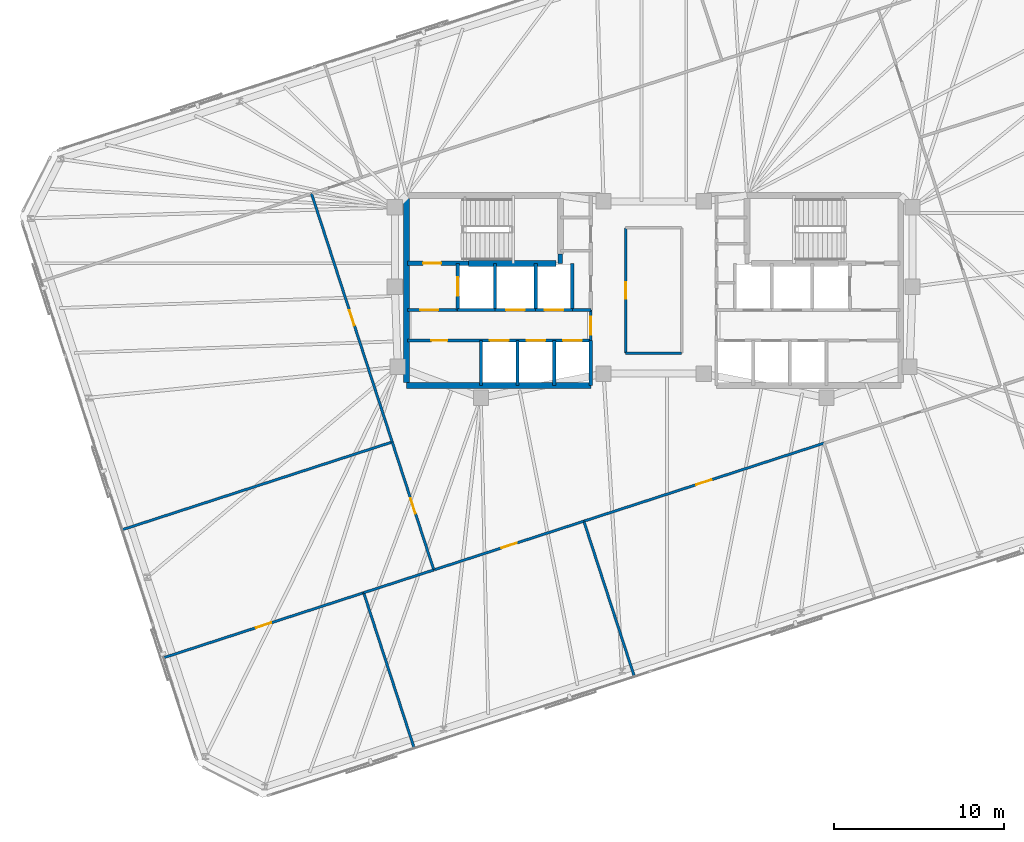
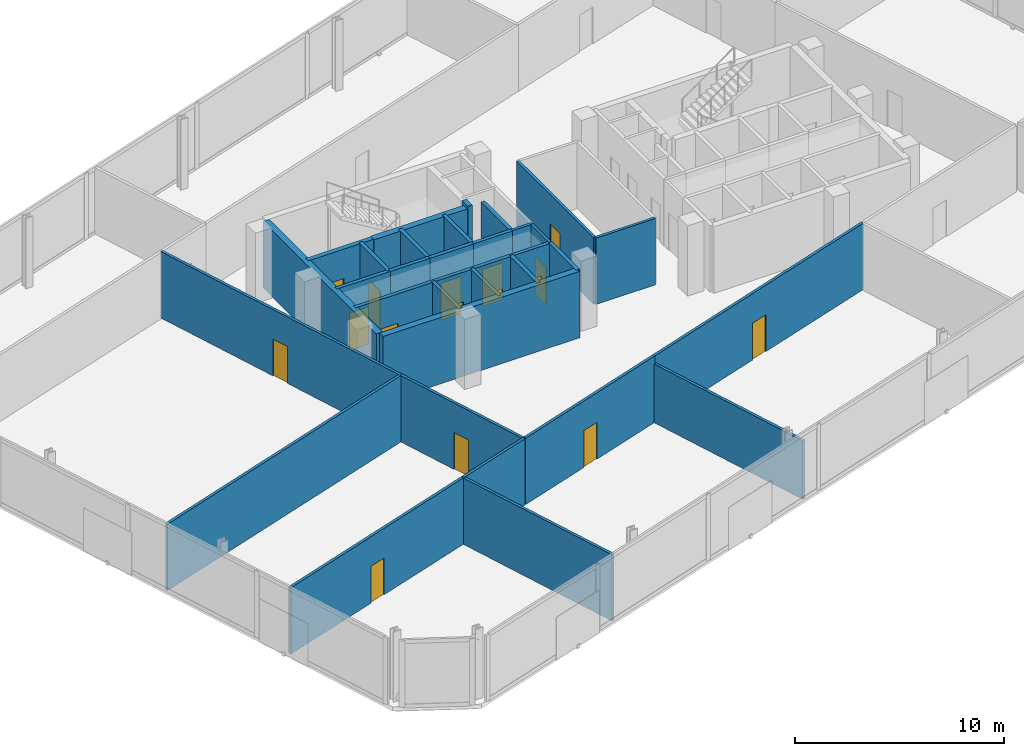
# One storey, part 10 of 14: 31 walls, 16 doors, 16 openings.
"""IFC4 building model written with IfcOpenShell, lengths in metres."""

from ifc_helpers import new_model, si_unit, direction, frame, frame_2d, origin, place, context, subcontext, project, spatial, rectangle, extrude, material, layer, layer_set, type_object, element, fill, save


model = new_model("IFC4")

# Units and contexts
model_context = context("Model", 3, precision=1e-05, world=origin(), true_north=direction((0.0, 1.0)))
body_context = subcontext(model_context, "Body", "Model", "MODEL_VIEW")
ifc_project = project(units=[si_unit("LENGTHUNIT", "METRE"), si_unit("AREAUNIT", "SQUARE_METRE"), si_unit("VOLUMEUNIT", "CUBIC_METRE"), si_unit("PLANEANGLEUNIT", "RADIAN"), si_unit("MASSUNIT", "GRAM", prefix="KILO")], contexts=[model_context])

# Site, building, storey
site_placement = place(None, origin())
site = spatial("IfcSite", under=ifc_project, at=site_placement, CompositionType="ELEMENT")
building_placement = place(site_placement, origin())
building = spatial("IfcBuilding", under=site, at=building_placement, Name="Menara Jurai Vektor", CompositionType="ELEMENT")
storey_placement = place(building_placement, frame((0.0, 0.0, 206.800048828125)))
storey = spatial("IfcBuildingStorey", under=building, at=storey_placement, Name="L54", CompositionType="ELEMENT", Elevation=206.800048828125)

# Wall, opening, door
ifc_material_1 = material(Name="Concrete C40/50", Category="concrete")
ifc_layer_1 = layer(ifc_material_1, 0.25)
ifc_layer_set_1 = layer_set([ifc_layer_1], Name="Concrete C40/50")
wall_type_1 = type_object("IfcWallType", Name="INT-WALL-CORE-250", PredefinedType="STANDARD", material=ifc_layer_set_1)
wall_1_placement = place(storey_placement, frame((-14.5, 1.60009765625, 0.0), z_axis=(0.0, 0.0, 1.0), x_axis=(1.0, 0.0, 0.0)))
wall_1 = element("IfcWall", 1, at=wall_1_placement, inside=storey, type_object=wall_type_1, Name="Interior Wall IW-250 L54", PredefinedType="STANDARD", context=body_context, shape_type="SweptSolid", body=[
    extrude(rectangle(XDim=3.60009765625, YDim=0.25, at=frame_2d((1.800048828125, 0.0))), origin(), (0.0, 0.0, 1.0), 3.875),
])
opening_1_placement = place(wall_1_placement, frame((0.919921875, 0.0, 0.0)))
opening_1 = element("IfcOpeningElement", 2, at=opening_1_placement, cuts=wall_1, Name="Opening D-L54-ST1", PredefinedType="OPENING", context=body_context, shape_type="SweptSolid", body=[
    extrude(rectangle(XDim=1.050048828125, YDim=2.14990234375, at=frame_2d((0.52490234375, 1.074951171875))), frame((0.0, 0.135009765625, 0.0), z_axis=(0.0, -1.0, 0.0), x_axis=(1.0, 0.0, 0.0)), (0.0, 0.0, 1.0), 0.27001953125),
])
ifc_material_2 = material(Name="Fire-Rated Steel Door", Category="steel")
door_type_1 = type_object("IfcDoorType", Name="DR-STAIR-1050", OperationType="NOTDEFINED", PredefinedType="DOOR", material=ifc_material_2)
door_1_placement = place(opening_1_placement, origin())
door_1 = element("IfcDoor", 3, at=door_1_placement, inside=storey, type_object=door_type_1, Name="Exit Stair ST1 Door L54", OperationType="SINGLE_SWING_RIGHT", OverallHeight=2.14990234375, OverallWidth=1.050048828125, PredefinedType="DOOR", context=body_context, shape_type="SweptSolid", body=[
    extrude(rectangle(XDim=1.050048828125, YDim=2.14990234375, at=frame_2d((0.52490234375, 1.074951171875))), frame((0.0, 0.02490234375, 0.0), z_axis=(0.0, -1.0, 0.0), x_axis=(1.0, 0.0, 0.0)), (0.0, 0.0, 1.0), 0.050048828125),
])
fill(opening_1, door_1)

# Wall
wall_2_placement = place(storey_placement, frame((-5.5, 1.60009765625, 0.0), z_axis=(0.0, 0.0, 1.0), x_axis=(0.0, 1.0, 0.0)))
element("IfcWall", 4, at=wall_2_placement, inside=storey, type_object=wall_type_1, Name="Interior Wall IW-250 L54", PredefinedType="STANDARD", context=body_context, shape_type="SweptSolid", body=[
    extrude(rectangle(XDim=0.5498046875, YDim=0.25, at=frame_2d((0.27490234375, 0.0))), origin(), (0.0, 0.0, 1.0), 3.875),
])

# Wall, opening, door
wall_3_placement = place(storey_placement, frame((-11.550048828125, -1.14990234375, 0.0), z_axis=(0.0, 0.0, 1.0), x_axis=(0.0, 1.0, 0.0)))
wall_3 = element("IfcWall", 5, at=wall_3_placement, inside=storey, type_object=wall_type_1, Name="Interior Wall IW-250 L54", PredefinedType="STANDARD", context=body_context, shape_type="SweptSolid", body=[
    extrude(rectangle(XDim=2.75, YDim=0.199951171875, at=frame_2d((1.375, 0.0))), origin(), (0.0, 0.0, 1.0), 3.875),
])
opening_2_placement = place(wall_3_placement, frame((0.824951171875, 0.0, 0.0)))
opening_2 = element("IfcOpeningElement", 6, at=opening_2_placement, cuts=wall_3, Name="Opening LD-L54-FL1", PredefinedType="OPENING", context=body_context, shape_type="SweptSolid", body=[
    extrude(rectangle(XDim=1.10009765625, YDim=2.14990234375, at=frame_2d((0.550048828125, 1.074951171875))), frame((0.0, 0.10986328125, 0.0), z_axis=(0.0, -1.0, 0.0), x_axis=(1.0, 0.0, 0.0)), (0.0, 0.0, 1.0), 0.219970703125),
])
ifc_material_3 = material(Name="Stainless Steel Sliding Lift Landing Door", Category="steel")
door_type_2 = type_object("IfcDoorType", Name="DR-LIFT-FIRE-1100", OperationType="NOTDEFINED", PredefinedType="DOOR", material=ifc_material_3)
door_2_placement = place(opening_2_placement, origin())
door_2 = element("IfcDoor", 7, at=door_2_placement, inside=storey, type_object=door_type_2, Name="Lift Landing Door FL1 L54", OperationType="SLIDING_TO_RIGHT", OverallHeight=2.14990234375, OverallWidth=1.10009765625, PredefinedType="DOOR", context=body_context, shape_type="SweptSolid", body=[
    extrude(rectangle(XDim=1.10009765625, YDim=2.14990234375, at=frame_2d((0.550048828125, 1.074951171875))), frame((0.0, 0.02490234375, 0.0), z_axis=(0.0, -1.0, 0.0), x_axis=(1.0, 0.0, 0.0)), (0.0, 0.0, 1.0), 0.050048828125),
])
fill(opening_2, door_2)

# Wall
wall_4_placement = place(storey_placement, frame((-9.35009765625, -1.14990234375, 0.0), z_axis=(0.0, 0.0, 1.0), x_axis=(0.0, 1.0, 0.0)))
element("IfcWall", 8, at=wall_4_placement, inside=storey, type_object=wall_type_1, Name="Interior Wall IW-250 L54", PredefinedType="STANDARD", context=body_context, shape_type="SweptSolid", body=[
    extrude(rectangle(XDim=2.75, YDim=0.199951171875, at=frame_2d((1.375, 0.0))), origin(), (0.0, 0.0, 1.0), 3.875),
])

# Wall, opening, door
wall_5_placement = place(storey_placement, frame((-14.5, -1.14990234375, 0.0), z_axis=(0.0, 0.0, 1.0), x_axis=(1.0, 0.0, 0.0)))
wall_5 = element("IfcWall", 9, at=wall_5_placement, inside=storey, type_object=wall_type_1, Name="Interior Wall IW-250 L54", PredefinedType="STANDARD", context=body_context, shape_type="SweptSolid", body=[
    extrude(rectangle(XDim=2.949951171875, YDim=0.199951171875, at=frame_2d((1.47509765625, 0.0))), origin(), (0.0, 0.0, 1.0), 3.875),
])
opening_3_placement = place(wall_5_placement, frame((0.75, 0.0, 0.0)))
opening_3 = element("IfcOpeningElement", 10, at=opening_3_placement, cuts=wall_5, Name="Opening D-L54-FFW", PredefinedType="OPENING", context=body_context, shape_type="SweptSolid", body=[
    extrude(rectangle(XDim=1.050048828125, YDim=2.179931640625, at=frame_2d((0.52490234375, 1.08984375))), frame((0.0, 0.10986328125, 0.0), z_axis=(0.0, -1.0, 0.0), x_axis=(1.0, 0.0, 0.0)), (0.0, 0.0, 1.0), 0.219970703125),
])
ifc_material_4 = material(Name="Fire-Rated Timber Door", Category="wood")
door_type_3 = type_object("IfcDoorType", Name="DR-LOBBY-1050", OperationType="NOTDEFINED", PredefinedType="DOOR", material=ifc_material_4)
door_3_placement = place(opening_3_placement, origin())
door_3 = element("IfcDoor", 11, at=door_3_placement, inside=storey, type_object=door_type_3, Name="Fire Lift Lobby Door W L54", OperationType="SINGLE_SWING_RIGHT", OverallHeight=2.179931640625, OverallWidth=1.050048828125, PredefinedType="DOOR", context=body_context, shape_type="SweptSolid", body=[
    extrude(rectangle(XDim=1.050048828125, YDim=2.179931640625, at=frame_2d((0.52490234375, 1.08984375))), frame((0.0, 0.02490234375, 0.0), z_axis=(0.0, -1.0, 0.0), x_axis=(1.0, 0.0, 0.0)), (0.0, 0.0, 1.0), 0.050048828125),
])
fill(opening_3, door_3)

# Wall
wall_6_placement = place(storey_placement, frame((-11.550048828125, -1.14990234375, 0.0), z_axis=(0.0, 0.0, 1.0), x_axis=(1.0, 0.0, 0.0)))
element("IfcWall", 12, at=wall_6_placement, inside=storey, type_object=wall_type_1, Name="Interior Wall IW-250 L54", PredefinedType="STANDARD", context=body_context, shape_type="SweptSolid", body=[
    extrude(rectangle(XDim=2.199951171875, YDim=0.199951171875, at=frame_2d((1.10009765625, 0.0))), origin(), (0.0, 0.0, 1.0), 3.875),
])

# Wall, opening, door
ifc_material_5 = material(Name="Gypsum Fireboard Partition", Category="gypsum")
ifc_layer_2 = layer(ifc_material_5, 0.14990234375)
ifc_layer_set_2 = layer_set([ifc_layer_2], Name="Gypsum Fireboard Partition")
wall_type_2 = type_object("IfcWallType", Name="INT-WALL-CORR-150", PredefinedType="PARTITIONING", material=ifc_layer_set_2)
wall_7_placement = place(storey_placement, frame((-3.699951171875, -2.949951171875, 0.0), z_axis=(0.0, 0.0, 1.0), x_axis=(0.0, 1.0, 0.0)))
wall_7 = element("IfcWall", 13, at=wall_7_placement, inside=storey, type_object=wall_type_2, Name="Interior Wall IW-150 L54", PredefinedType="PARTITIONING", context=body_context, shape_type="SweptSolid", body=[
    extrude(rectangle(XDim=1.800048828125, YDim=0.14990234375, at=frame_2d((0.89990234375, 0.0))), origin(), (0.0, 0.0, 1.0), 3.875),
])
opening_4_placement = place(wall_7_placement, frame((0.35009765625, 0.0, 0.0)))
opening_4 = element("IfcOpeningElement", 14, at=opening_4_placement, cuts=wall_7, Name="Opening D-L54-LLW", PredefinedType="OPENING", context=body_context, shape_type="SweptSolid", body=[
    extrude(rectangle(XDim=1.050048828125, YDim=2.179931640625, at=frame_2d((0.52490234375, 1.08984375))), frame((0.0, 0.0849609375, 0.0), z_axis=(0.0, -1.0, 0.0), x_axis=(1.0, 0.0, 0.0)), (0.0, 0.0, 1.0), 0.169921875),
])
door_4_placement = place(opening_4_placement, origin())
door_4 = element("IfcDoor", 15, at=door_4_placement, inside=storey, type_object=door_type_3, Name="Lift Lobby Corridor Door W L54", OperationType="SINGLE_SWING_LEFT", OverallHeight=2.179931640625, OverallWidth=1.050048828125, PredefinedType="DOOR", context=body_context, shape_type="SweptSolid", body=[
    extrude(rectangle(XDim=1.050048828125, YDim=2.179931640625, at=frame_2d((0.52490234375, 1.08984375))), frame((0.0, 0.02490234375, 0.0), z_axis=(0.0, -1.0, 0.0), x_axis=(1.0, 0.0, 0.0)), (0.0, 0.0, 1.0), 0.050048828125),
])
fill(opening_4, door_4)

# Wall
wall_8_placement = place(storey_placement, frame((-4.7900390625, -1.14990234375, 0.0), z_axis=(0.0, 0.0, 1.0), x_axis=(1.0, 0.0, 0.0)))
element("IfcWall", 16, at=wall_8_placement, inside=storey, type_object=wall_type_2, Name="Interior Wall IW-150 L54", PredefinedType="PARTITIONING", context=body_context, shape_type="SweptSolid", body=[
    extrude(rectangle(XDim=1.090087890625, YDim=0.14990234375, at=frame_2d((0.544921875, 0.0))), origin(), (0.0, 0.0, 1.0), 3.875),
])

# Wall, opening, door
wall_9_placement = place(storey_placement, frame((-1.64990234375, -3.6904296875, 0.0), z_axis=(0.0, 0.0, 1.0), x_axis=(3.3079722e-05, 0.999999999453, 0.0)))
wall_9 = element("IfcWall", 17, at=wall_9_placement, inside=storey, type_object=wall_type_2, Name="Interior Wall IW-150 L54", PredefinedType="PARTITIONING", context=body_context, shape_type="SweptSolid", body=[
    extrude(rectangle(XDim=7.38037109375, YDim=0.14990234375, at=frame_2d((3.690185546875, 0.0))), origin(), (0.0, 0.0, 1.0), 3.875),
])
opening_5_placement = place(wall_9_placement, frame((3.215087890625, 0.0, 0.0)))
opening_5 = element("IfcOpeningElement", 18, at=opening_5_placement, cuts=wall_9, Name="Opening D54-08", PredefinedType="OPENING", context=body_context, shape_type="SweptSolid", body=[
    extrude(rectangle(XDim=0.949951171875, YDim=2.14990234375, at=frame_2d((0.47509765625, 1.074951171875))), frame((0.0, 0.0849609375, 0.0), z_axis=(0.0, -1.0, 0.0), x_axis=(1.0, 0.0, 0.0)), (0.0, 0.0, 1.0), 0.169921875),
])
ifc_material_6 = material(Name="Solid Core Timber Fire Door", Category="wood")
door_type_4 = type_object("IfcDoorType", Name="DR-ENTRY-950", OperationType="NOTDEFINED", PredefinedType="DOOR", material=ifc_material_6)
door_5_placement = place(opening_5_placement, origin())
door_5 = element("IfcDoor", 19, at=door_5_placement, inside=storey, type_object=door_type_4, Name="Interior Door D54-08", OperationType="SINGLE_SWING_LEFT", OverallHeight=2.14990234375, OverallWidth=0.949951171875, PredefinedType="DOOR", context=body_context, shape_type="SweptSolid", body=[
    extrude(rectangle(XDim=0.949951171875, YDim=2.14990234375, at=frame_2d((0.47509765625, 1.074951171875))), frame((0.0, 0.02490234375, 0.0), z_axis=(0.0, -1.0, 0.0), x_axis=(1.0, 0.0, 0.0)), (0.0, 0.0, 1.0), 0.050048828125),
])
fill(opening_5, door_5)

# Wall
wall_10_placement = place(storey_placement, frame((-1.64990234375, -3.6904296875, 0.0), z_axis=(0.0, 0.0, 1.0), x_axis=(0.999999956221, 0.000295901748, 0.0)))
element("IfcWall", 20, at=wall_10_placement, inside=storey, type_object=wall_type_2, Name="Interior Wall IW-150 L54", PredefinedType="PARTITIONING", context=body_context, shape_type="SweptSolid", body=[
    extrude(rectangle(XDim=3.30029296875, YDim=0.14990234375, at=frame_2d((1.650146484375, 0.0))), origin(), (0.0, 0.0, 1.0), 3.875),
])

# Wall, opening, door
wall_11_placement = place(storey_placement, frame((-12.918212890625, -16.4541015625, 0.0), z_axis=(0.0, 0.0, 1.0), x_axis=(0.951058289859, 0.309011535854, 0.0)))
wall_11 = element("IfcWall", 21, at=wall_11_placement, inside=storey, type_object=wall_type_2, Name="Interior Wall IW-150 L54", PredefinedType="PARTITIONING", context=body_context, shape_type="SweptSolid", body=[
    extrude(rectangle(XDim=9.258056640625, YDim=0.14990234375, at=frame_2d((4.62890625, 0.0))), origin(), (0.0, 0.0, 1.0), 3.875),
])
opening_6_placement = place(wall_11_placement, frame((4.154052734375, 0.0, 0.0)))
opening_6 = element("IfcOpeningElement", 22, at=opening_6_placement, cuts=wall_11, Name="Opening D54-12", PredefinedType="OPENING", context=body_context, shape_type="SweptSolid", body=[
    extrude(rectangle(XDim=0.949951171875, YDim=2.14990234375, at=frame_2d((0.47509765625, 1.074951171875))), frame((0.0, 0.0849609375, 0.0), z_axis=(0.0, -1.0, 0.0), x_axis=(1.0, 0.0, 0.0)), (0.0, 0.0, 1.0), 0.169921875),
])
door_6_placement = place(opening_6_placement, origin())
door_6 = element("IfcDoor", 23, at=door_6_placement, inside=storey, type_object=door_type_4, Name="Interior Door D54-12", OperationType="SINGLE_SWING_LEFT", OverallHeight=2.14990234375, OverallWidth=0.949951171875, PredefinedType="DOOR", context=body_context, shape_type="SweptSolid", body=[
    extrude(rectangle(XDim=0.949951171875, YDim=2.14990234375, at=frame_2d((0.47509765625, 1.074951171875))), frame((0.0, 0.02490234375, 0.0), z_axis=(0.0, -1.0, 0.0), x_axis=(1.0, 0.0, 0.0)), (0.0, 0.0, 1.0), 0.050048828125),
])
fill(opening_6, door_6)

wall_12_placement = place(storey_placement, frame((-4.11328125, -13.59326171875, 0.0), z_axis=(0.0, 0.0, 1.0), x_axis=(0.951056372561, 0.309017436743, 0.0)))
wall_12 = element("IfcWall", 24, at=wall_12_placement, inside=storey, type_object=wall_type_2, Name="Interior Wall IW-150 L54", PredefinedType="PARTITIONING", context=body_context, shape_type="SweptSolid", body=[
    extrude(rectangle(XDim=14.8798828125, YDim=0.14990234375, at=frame_2d((7.43994140625, 0.0))), origin(), (0.0, 0.0, 1.0), 3.875),
])
opening_7_placement = place(wall_12_placement, frame((6.965087890625, 0.0, 0.0)))
opening_7 = element("IfcOpeningElement", 25, at=opening_7_placement, cuts=wall_12, Name="Opening D54-13", PredefinedType="OPENING", context=body_context, shape_type="SweptSolid", body=[
    extrude(rectangle(XDim=0.949951171875, YDim=2.14990234375, at=frame_2d((0.47509765625, 1.074951171875))), frame((0.0, 0.0849609375, 0.0), z_axis=(0.0, -1.0, 0.0), x_axis=(1.0, 0.0, 0.0)), (0.0, 0.0, 1.0), 0.169921875),
])
door_7_placement = place(opening_7_placement, origin())
door_7 = element("IfcDoor", 26, at=door_7_placement, inside=storey, type_object=door_type_4, Name="Interior Door D54-13", OperationType="SINGLE_SWING_RIGHT", OverallHeight=2.14990234375, OverallWidth=0.949951171875, PredefinedType="DOOR", context=body_context, shape_type="SweptSolid", body=[
    extrude(rectangle(XDim=0.949951171875, YDim=2.14990234375, at=frame_2d((0.47509765625, 1.074951171875))), frame((0.0, 0.02490234375, 0.0), z_axis=(0.0, -1.0, 0.0), x_axis=(1.0, 0.0, 0.0)), (0.0, 0.0, 1.0), 0.050048828125),
])
fill(opening_7, door_7)

wall_13_placement = place(storey_placement, frame((-12.954345703125, -16.4658203125, 0.0), z_axis=(0.0, 0.0, 1.0), x_axis=(-0.309039411751, 0.951049232156, 0.0)))
wall_13 = element("IfcWall", 27, at=wall_13_placement, inside=storey, type_object=wall_type_2, Name="Interior Wall IW-150 L54", PredefinedType="PARTITIONING", context=body_context, shape_type="SweptSolid", body=[
    extrude(rectangle(XDim=7.9267578125, YDim=0.14990234375, at=frame_2d((3.96337890625, 0.0))), origin(), (0.0, 0.0, 1.0), 3.875),
])
opening_8_placement = place(wall_13_placement, frame((3.488525390625, 0.0, 0.0)))
opening_8 = element("IfcOpeningElement", 28, at=opening_8_placement, cuts=wall_13, Name="Opening D54-15", PredefinedType="OPENING", context=body_context, shape_type="SweptSolid", body=[
    extrude(rectangle(XDim=0.949951171875, YDim=2.14990234375, at=frame_2d((0.47509765625, 1.074951171875))), frame((0.0, 0.0849609375, 0.0), z_axis=(0.0, -1.0, 0.0), x_axis=(1.0, 0.0, 0.0)), (0.0, 0.0, 1.0), 0.169921875),
])
door_8_placement = place(opening_8_placement, origin())
door_8 = element("IfcDoor", 29, at=door_8_placement, inside=storey, type_object=door_type_4, Name="Interior Door D54-15", OperationType="SINGLE_SWING_RIGHT", OverallHeight=2.14990234375, OverallWidth=0.949951171875, PredefinedType="DOOR", context=body_context, shape_type="SweptSolid", body=[
    extrude(rectangle(XDim=0.949951171875, YDim=2.14990234375, at=frame_2d((0.47509765625, 1.074951171875))), frame((0.0, 0.02490234375, 0.0), z_axis=(0.0, -1.0, 0.0), x_axis=(1.0, 0.0, 0.0)), (0.0, 0.0, 1.0), 0.050048828125),
])
fill(opening_8, door_8)

wall_14_placement = place(storey_placement, frame((-15.404052734375, -8.927001953125, 0.0), z_axis=(0.0, 0.0, 1.0), x_axis=(-0.309002477631, 0.951061232949, 0.0)))
wall_14 = element("IfcWall", 30, at=wall_14_placement, inside=storey, type_object=wall_type_2, Name="Interior Wall IW-150 L54", PredefinedType="PARTITIONING", context=body_context, shape_type="SweptSolid", body=[
    extrude(rectangle(XDim=15.386962890625, YDim=0.14990234375, at=frame_2d((7.693359375, 0.0))), origin(), (0.0, 0.0, 1.0), 3.875),
])
opening_9_placement = place(wall_14_placement, frame((7.218505859375, 0.0, 0.0)))
opening_9 = element("IfcOpeningElement", 31, at=opening_9_placement, cuts=wall_14, Name="Opening D54-16", PredefinedType="OPENING", context=body_context, shape_type="SweptSolid", body=[
    extrude(rectangle(XDim=0.949951171875, YDim=2.14990234375, at=frame_2d((0.47509765625, 1.074951171875))), frame((0.0, 0.0849609375, 0.0), z_axis=(0.0, -1.0, 0.0), x_axis=(1.0, 0.0, 0.0)), (0.0, 0.0, 1.0), 0.169921875),
])
door_9_placement = place(opening_9_placement, origin())
door_9 = element("IfcDoor", 32, at=door_9_placement, inside=storey, type_object=door_type_4, Name="Interior Door D54-16", OperationType="SINGLE_SWING_LEFT", OverallHeight=2.14990234375, OverallWidth=0.949951171875, PredefinedType="DOOR", context=body_context, shape_type="SweptSolid", body=[
    extrude(rectangle(XDim=0.949951171875, YDim=2.14990234375, at=frame_2d((0.47509765625, 1.074951171875))), frame((0.0, 0.02490234375, 0.0), z_axis=(0.0, -1.0, 0.0), x_axis=(1.0, 0.0, 0.0)), (0.0, 0.0, 1.0), 0.050048828125),
])
fill(opening_9, door_9)

# Wall
wall_15_placement = place(storey_placement, frame((-14.109375, -26.96875, 0.0), z_axis=(0.0, 0.0, 1.0), x_axis=(-0.309009842949, 0.951058839905, 0.0)))
element("IfcWall", 33, at=wall_15_placement, inside=storey, type_object=wall_type_2, Name="Interior Wall IW-150 L54", PredefinedType="PARTITIONING", context=body_context, shape_type="SweptSolid", body=[
    extrude(rectangle(XDim=9.6318359375, YDim=0.14990234375, at=frame_2d((4.81591796875, 0.0))), origin(), (0.0, 0.0, 1.0), 3.875),
])

# Wall, opening, door
wall_16_placement = place(storey_placement, frame((-28.87890625, -21.64013671875, 0.0), z_axis=(0.0, 0.0, 1.0), x_axis=(0.951057939298, 0.309012614787, 0.0)))
wall_16 = element("IfcWall", 34, at=wall_16_placement, inside=storey, type_object=wall_type_2, Name="Interior Wall IW-150 L54", PredefinedType="PARTITIONING", context=body_context, shape_type="SweptSolid", body=[
    extrude(rectangle(XDim=12.400146484375, YDim=0.14990234375, at=frame_2d((6.2001953125, 0.0))), origin(), (0.0, 0.0, 1.0), 3.875),
])
opening_10_placement = place(wall_16_placement, frame((5.72509765625, 0.0, 0.0)))
opening_10 = element("IfcOpeningElement", 35, at=opening_10_placement, cuts=wall_16, Name="Opening D54-19", PredefinedType="OPENING", context=body_context, shape_type="SweptSolid", body=[
    extrude(rectangle(XDim=0.949951171875, YDim=2.14990234375, at=frame_2d((0.47509765625, 1.074951171875))), frame((0.0, 0.0849609375, 0.0), z_axis=(0.0, -1.0, 0.0), x_axis=(1.0, 0.0, 0.0)), (0.0, 0.0, 1.0), 0.169921875),
])
door_10_placement = place(opening_10_placement, origin())
door_10 = element("IfcDoor", 36, at=door_10_placement, inside=storey, type_object=door_type_4, Name="Interior Door D54-19", OperationType="SINGLE_SWING_RIGHT", OverallHeight=2.14990234375, OverallWidth=0.949951171875, PredefinedType="DOOR", context=body_context, shape_type="SweptSolid", body=[
    extrude(rectangle(XDim=0.949951171875, YDim=2.14990234375, at=frame_2d((0.47509765625, 1.074951171875))), frame((0.0, 0.02490234375, 0.0), z_axis=(0.0, -1.0, 0.0), x_axis=(1.0, 0.0, 0.0)), (0.0, 0.0, 1.0), 0.050048828125),
])
fill(opening_10, door_10)

# Walls
wall_17_placement = place(storey_placement, frame((-17.085693359375, -17.808349609375, 0.0), z_axis=(0.0, 0.0, 1.0), x_axis=(0.951044806522, 0.309053031028, 0.0)))
element("IfcWall", 37, at=wall_17_placement, inside=storey, type_object=wall_type_2, Name="Interior Wall IW-150 L54", PredefinedType="PARTITIONING", context=body_context, shape_type="SweptSolid", body=[
    extrude(rectangle(XDim=4.343994140625, YDim=0.14990234375, at=frame_2d((2.171875, 0.0))), origin(), (0.0, 0.0, 1.0), 3.875),
])
wall_18_placement = place(storey_placement, frame((-31.328369140625, -14.10107421875, 0.0), z_axis=(0.0, 0.0, 1.0), x_axis=(0.951057425217, 0.309014196986, 0.0)))
element("IfcWall", 38, at=wall_18_placement, inside=storey, type_object=wall_type_2, Name="Interior Wall IW-150 L54", PredefinedType="PARTITIONING", context=body_context, shape_type="SweptSolid", body=[
    extrude(rectangle(XDim=16.743896484375, YDim=0.14990234375, at=frame_2d((8.3720703125, 0.0))), origin(), (0.0, 0.0, 1.0), 3.875),
])
ifc_layer_3 = layer(ifc_material_5, 0.14990234375)
ifc_layer_set_3 = layer_set([ifc_layer_3], Name="Gypsum Fireboard Partition")
wall_type_3 = type_object("IfcWallType", Name="INT-WALL-CORR-150-H1", PredefinedType="PARTITIONING", material=ifc_layer_set_3)
wall_19_placement = place(storey_placement, frame((-1.136962890625, -22.75390625, 0.0), z_axis=(0.0, 0.0, 1.0), x_axis=(-0.309002393867, 0.951061260164, 0.0)))
element("IfcWall", 39, at=wall_19_placement, inside=storey, type_object=wall_type_3, Name="Interior Wall IW-150 L54", PredefinedType="PARTITIONING", context=body_context, shape_type="SweptSolid", body=[
    extrude(rectangle(XDim=9.632080078125, YDim=0.14990234375, at=frame_2d((4.81591796875, 0.0))), origin(), (0.0, 0.0, 1.0), 3.425048828125),
])
ifc_layer_4 = layer(ifc_material_1, 0.199951171875)
ifc_layer_set_4 = layer_set([ifc_layer_4], Name="Concrete C40/50")
wall_type_4 = type_object("IfcWallType", Name="INT-WALL-SHAFT-200", PredefinedType="STANDARD", material=ifc_layer_set_4)
wall_20_placement = place(storey_placement, frame((-3.699951171875, -5.60009765625, 0.0), z_axis=(0.0, 0.0, 1.0), x_axis=(0.0, 1.0, 0.0)))
element("IfcWall", 40, at=wall_20_placement, inside=storey, type_object=wall_type_4, Name="Interior Wall IW-200 L54", PredefinedType="STANDARD", context=body_context, shape_type="SweptSolid", body=[
    extrude(rectangle(XDim=2.650146484375, YDim=0.199951171875, at=frame_2d((1.3251953125, 0.0))), origin(), (0.0, 0.0, 1.0), 3.875),
])
wall_21_placement = place(storey_placement, frame((-6.949951171875, -1.14990234375, 0.0), z_axis=(0.0, 0.0, 1.0), x_axis=(0.0, 1.0, 0.0)))
element("IfcWall", 41, at=wall_21_placement, inside=storey, type_object=wall_type_4, Name="Interior Wall IW-200 L54", PredefinedType="STANDARD", context=body_context, shape_type="SweptSolid", body=[
    extrude(rectangle(XDim=2.75, YDim=0.199951171875, at=frame_2d((1.375, 0.0))), origin(), (0.0, 0.0, 1.0), 3.875),
])

# Wall, opening, door
wall_22_placement = place(storey_placement, frame((-9.35009765625, -1.14990234375, 0.0), z_axis=(0.0, 0.0, 1.0), x_axis=(1.0, 0.0, 0.0)))
wall_22 = element("IfcWall", 42, at=wall_22_placement, inside=storey, type_object=wall_type_4, Name="Interior Wall IW-200 L54", PredefinedType="STANDARD", context=body_context, shape_type="SweptSolid", body=[
    extrude(rectangle(XDim=2.400146484375, YDim=0.199951171875, at=frame_2d((1.2001953125, 0.0))), origin(), (0.0, 0.0, 1.0), 3.875),
])
opening_11_placement = place(wall_22_placement, frame((0.64990234375, 0.0, 0.0)))
opening_11 = element("IfcOpeningElement", 43, at=opening_11_placement, cuts=wall_22, Name="Opening LD-L54-SVL1", PredefinedType="OPENING", context=body_context, shape_type="SweptSolid", body=[
    extrude(rectangle(XDim=1.10009765625, YDim=2.14990234375, at=frame_2d((0.550048828125, 1.074951171875))), frame((0.0, 0.10986328125, 0.0), z_axis=(0.0, -1.0, 0.0), x_axis=(1.0, 0.0, 0.0)), (0.0, 0.0, 1.0), 0.219970703125),
])
ifc_material_7 = material(Name="Anodised Stainless Sliding Lift Landing Door", Category="steel")
door_type_5 = type_object("IfcDoorType", Name="DR-LIFT-PASS-1100", OperationType="NOTDEFINED", PredefinedType="DOOR", material=ifc_material_7)
door_11_placement = place(opening_11_placement, origin())
door_11 = element("IfcDoor", 44, at=door_11_placement, inside=storey, type_object=door_type_5, Name="Lift Landing Door SVL1 L54", OperationType="SLIDING_TO_RIGHT", OverallHeight=2.14990234375, OverallWidth=1.10009765625, PredefinedType="DOOR", context=body_context, shape_type="SweptSolid", body=[
    extrude(rectangle(XDim=1.10009765625, YDim=2.14990234375, at=frame_2d((0.550048828125, 1.074951171875))), frame((0.0, 0.02490234375, 0.0), z_axis=(0.0, -1.0, 0.0), x_axis=(1.0, 0.0, 0.0)), (0.0, 0.0, 1.0), 0.050048828125),
])
fill(opening_11, door_11)

# Wall
wall_23_placement = place(storey_placement, frame((-4.7900390625, -1.14990234375, 0.0), z_axis=(0.0, 0.0, 1.0), x_axis=(0.0, 1.0, 0.0)))
element("IfcWall", 45, at=wall_23_placement, inside=storey, type_object=wall_type_4, Name="Interior Wall IW-200 L54", PredefinedType="STANDARD", context=body_context, shape_type="SweptSolid", body=[
    extrude(rectangle(XDim=2.75, YDim=0.199951171875, at=frame_2d((1.375, 0.0))), origin(), (0.0, 0.0, 1.0), 3.875),
])

# Wall, opening, door
wall_24_placement = place(storey_placement, frame((-6.949951171875, -1.14990234375, 0.0), z_axis=(0.0, 0.0, 1.0), x_axis=(1.0, 0.0, 0.0)))
wall_24 = element("IfcWall", 46, at=wall_24_placement, inside=storey, type_object=wall_type_4, Name="Interior Wall IW-200 L54", PredefinedType="STANDARD", context=body_context, shape_type="SweptSolid", body=[
    extrude(rectangle(XDim=2.159912109375, YDim=0.199951171875, at=frame_2d((1.080078125, 0.0))), origin(), (0.0, 0.0, 1.0), 3.875),
])
opening_12_placement = place(wall_24_placement, frame((0.530029296875, 0.0, 0.0)))
opening_12 = element("IfcOpeningElement", 47, at=opening_12_placement, cuts=wall_24, Name="Opening LD-L54-PH2", PredefinedType="OPENING", context=body_context, shape_type="SweptSolid", body=[
    extrude(rectangle(XDim=1.10009765625, YDim=2.14990234375, at=frame_2d((0.550048828125, 1.074951171875))), frame((0.0, 0.10986328125, 0.0), z_axis=(0.0, -1.0, 0.0), x_axis=(1.0, 0.0, 0.0)), (0.0, 0.0, 1.0), 0.219970703125),
])
door_12_placement = place(opening_12_placement, origin())
door_12 = element("IfcDoor", 48, at=door_12_placement, inside=storey, type_object=door_type_5, Name="Lift Landing Door PH2 L54", OperationType="SLIDING_TO_RIGHT", OverallHeight=2.14990234375, OverallWidth=1.10009765625, PredefinedType="DOOR", context=body_context, shape_type="SweptSolid", body=[
    extrude(rectangle(XDim=1.10009765625, YDim=2.14990234375, at=frame_2d((0.550048828125, 1.074951171875))), frame((0.0, 0.02490234375, 0.0), z_axis=(0.0, -1.0, 0.0), x_axis=(1.0, 0.0, 0.0)), (0.0, 0.0, 1.0), 0.050048828125),
])
fill(opening_12, door_12)

# Wall, openings, doors
wall_25_placement = place(storey_placement, frame((-14.5, -2.949951171875, 0.0), z_axis=(0.0, 0.0, 1.0), x_axis=(1.0, 0.0, 0.0)))
wall_25 = element("IfcWall", 49, at=wall_25_placement, inside=storey, type_object=wall_type_4, Name="Interior Wall IW-200 L54", PredefinedType="STANDARD", context=body_context, shape_type="SweptSolid", body=[
    extrude(rectangle(XDim=10.800048828125, YDim=0.199951171875, at=frame_2d((5.39990234375, 0.0))), origin(), (0.0, 0.0, 1.0), 3.875),
])
opening_13_placement = place(wall_25_placement, frame((4.85009765625, 0.0, 0.0)))
opening_13 = element("IfcOpeningElement", 50, at=opening_13_placement, cuts=wall_25, Name="Opening LD-L54-PM1", PredefinedType="OPENING", context=body_context, shape_type="SweptSolid", body=[
    extrude(rectangle(XDim=1.10009765625, YDim=2.14990234375, at=frame_2d((0.550048828125, 1.074951171875))), frame((0.0, 0.10986328125, 0.0), z_axis=(0.0, -1.0, 0.0), x_axis=(1.0, 0.0, 0.0)), (0.0, 0.0, 1.0), 0.219970703125),
])
opening_14_placement = place(wall_25_placement, frame((7.010009765625, 0.0, 0.0)))
opening_14 = element("IfcOpeningElement", 51, at=opening_14_placement, cuts=wall_25, Name="Opening LD-L54-PM2", PredefinedType="OPENING", context=body_context, shape_type="SweptSolid", body=[
    extrude(rectangle(XDim=1.10009765625, YDim=2.14990234375, at=frame_2d((0.550048828125, 1.074951171875))), frame((0.0, 0.10986328125, 0.0), z_axis=(0.0, -1.0, 0.0), x_axis=(1.0, 0.0, 0.0)), (0.0, 0.0, 1.0), 0.219970703125),
])
opening_15_placement = place(wall_25_placement, frame((9.169921875, 0.0, 0.0)))
opening_15 = element("IfcOpeningElement", 52, at=opening_15_placement, cuts=wall_25, Name="Opening LD-L54-PH1", PredefinedType="OPENING", context=body_context, shape_type="SweptSolid", body=[
    extrude(rectangle(XDim=1.10009765625, YDim=2.14990234375, at=frame_2d((0.550048828125, 1.074951171875))), frame((0.0, 0.10986328125, 0.0), z_axis=(0.0, -1.0, 0.0), x_axis=(1.0, 0.0, 0.0)), (0.0, 0.0, 1.0), 0.219970703125),
])
opening_16_placement = place(wall_25_placement, frame((1.39990234375, 0.0, 0.0)))
opening_16 = element("IfcOpeningElement", 53, at=opening_16_placement, cuts=wall_25, Name="Opening D54-01", PredefinedType="OPENING", context=body_context, shape_type="SweptSolid", body=[
    extrude(rectangle(XDim=0.949951171875, YDim=2.14990234375, at=frame_2d((0.47509765625, 1.074951171875))), frame((0.0, 0.10986328125, 0.0), z_axis=(0.0, -1.0, 0.0), x_axis=(1.0, 0.0, 0.0)), (0.0, 0.0, 1.0), 0.219970703125),
])
door_13_placement = place(opening_16_placement, origin())
door_13 = element("IfcDoor", 54, at=door_13_placement, inside=storey, type_object=door_type_4, Name="Interior Door D54-01", OperationType="SINGLE_SWING_LEFT", OverallHeight=2.14990234375, OverallWidth=0.949951171875, PredefinedType="DOOR", context=body_context, shape_type="SweptSolid", body=[
    extrude(rectangle(XDim=0.949951171875, YDim=2.14990234375, at=frame_2d((0.47509765625, 1.074951171875))), frame((0.0, 0.02490234375, 0.0), z_axis=(0.0, -1.0, 0.0), x_axis=(1.0, 0.0, 0.0)), (0.0, 0.0, 1.0), 0.050048828125),
])
fill(opening_16, door_13)
door_14_placement = place(opening_13_placement, origin())
door_14 = element("IfcDoor", 55, at=door_14_placement, inside=storey, type_object=door_type_5, Name="Lift Landing Door PM1 L54", OperationType="SLIDING_TO_LEFT", OverallHeight=2.14990234375, OverallWidth=1.10009765625, PredefinedType="DOOR", context=body_context, shape_type="SweptSolid", body=[
    extrude(rectangle(XDim=1.10009765625, YDim=2.14990234375, at=frame_2d((0.550048828125, 1.074951171875))), frame((0.0, 0.02490234375, 0.0), z_axis=(0.0, -1.0, 0.0), x_axis=(1.0, 0.0, 0.0)), (0.0, 0.0, 1.0), 0.050048828125),
])
fill(opening_13, door_14)
door_15_placement = place(opening_14_placement, origin())
door_15 = element("IfcDoor", 56, at=door_15_placement, inside=storey, type_object=door_type_5, Name="Lift Landing Door PM2 L54", OperationType="SLIDING_TO_LEFT", OverallHeight=2.14990234375, OverallWidth=1.10009765625, PredefinedType="DOOR", context=body_context, shape_type="SweptSolid", body=[
    extrude(rectangle(XDim=1.10009765625, YDim=2.14990234375, at=frame_2d((0.550048828125, 1.074951171875))), frame((0.0, 0.02490234375, 0.0), z_axis=(0.0, -1.0, 0.0), x_axis=(1.0, 0.0, 0.0)), (0.0, 0.0, 1.0), 0.050048828125),
])
fill(opening_14, door_15)
door_16_placement = place(opening_15_placement, origin())
door_16 = element("IfcDoor", 57, at=door_16_placement, inside=storey, type_object=door_type_5, Name="Lift Landing Door PH1 L54", OperationType="SLIDING_TO_RIGHT", OverallHeight=2.14990234375, OverallWidth=1.10009765625, PredefinedType="DOOR", context=body_context, shape_type="SweptSolid", body=[
    extrude(rectangle(XDim=1.10009765625, YDim=2.14990234375, at=frame_2d((0.550048828125, 1.074951171875))), frame((0.0, 0.02490234375, 0.0), z_axis=(0.0, -1.0, 0.0), x_axis=(1.0, 0.0, 0.0)), (0.0, 0.0, 1.0), 0.050048828125),
])
fill(opening_15, door_16)

# Walls
wall_26_placement = place(storey_placement, frame((-5.860107421875, -5.60009765625, 0.0), z_axis=(0.0, 0.0, 1.0), x_axis=(0.0, 1.0, 0.0)))
element("IfcWall", 58, at=wall_26_placement, inside=storey, type_object=wall_type_4, Name="Interior Wall IW-200 L54", PredefinedType="STANDARD", context=body_context, shape_type="SweptSolid", body=[
    extrude(rectangle(XDim=2.650146484375, YDim=0.199951171875, at=frame_2d((1.3251953125, 0.0))), origin(), (0.0, 0.0, 1.0), 3.875),
])
for number, where, z_axis, x_axis, name in (
    (59, (-10.179931640625, -5.60009765625, 0.0), (0.0, 0.0, 1.0), (0.0, 1.0, 0.0), "Interior Wall IW-200 L54"),
    (60, (-8.02001953125, -5.60009765625, 0.0), (0.0, 0.0, 1.0), (0.0, 1.0, 0.0), "Interior Wall IW-200 L54"),
):
    element("IfcWall", number, at=place(storey_placement, frame(where, z_axis=z_axis, x_axis=x_axis)), inside=storey, type_object=wall_type_4, Name=name, PredefinedType="STANDARD", context=body_context, shape_type="SweptSolid", body=[
        extrude(rectangle(XDim=2.650146484375, YDim=0.179931640625, at=frame_2d((1.3251953125, 0.0))), origin(), (0.0, 0.0, 1.0), 3.875),
    ])
ifc_material_8 = material(Name="Concrete C50/60", Category="concrete")
ifc_layer_5 = layer(ifc_material_8, 0.35009765625)
ifc_layer_set_5 = layer_set([ifc_layer_5], Name="Concrete C50/60")
wall_type_5 = type_object("IfcWallType", Name="STR-WALL-CORE350", PredefinedType="SHEAR", material=ifc_layer_set_5)
wall_27_placement = place(storey_placement, frame((-14.56005859375, -5.60009765625, 0.0), z_axis=(0.0, 0.0, 1.0), x_axis=(1.0, 0.0, 0.0)))
element("IfcWall", 61, at=wall_27_placement, inside=storey, type_object=wall_type_5, Name="Core Shear Wall CW-W-S L54", PredefinedType="SHEAR", context=body_context, shape_type="SweptSolid", body=[
    extrude(rectangle(XDim=10.860107421875, YDim=0.35009765625, at=frame_2d((5.43017578125, 0.0))), origin(), (0.0, 0.0, 1.0), 3.875),
])
wall_28_placement = place(storey_placement, frame((-14.56005859375, -5.425048828125, 0.0), z_axis=(0.0, 0.0, 1.0), x_axis=(0.0, 1.0, 0.0)))
element("IfcWall", 62, at=wall_28_placement, inside=storey, type_object=wall_type_5, Name="Core Shear Wall CW-W-W L54", PredefinedType="SHEAR", context=body_context, shape_type="SweptSolid", body=[
    extrude(rectangle(XDim=10.85009765625, YDim=0.35009765625, at=frame_2d((5.425048828125, 0.0))), origin(), (0.0, 0.0, 1.0), 3.875),
])
wall_29_placement = place(storey_placement, frame((-10.89990234375, 1.60009765625, 0.0), z_axis=(0.0, 0.0, 1.0), x_axis=(1.0, 0.0, 0.0)))
element("IfcWall", 63, at=wall_29_placement, inside=storey, type_object=wall_type_5, Name="Core Shear Wall CW-W-STS L54", PredefinedType="SHEAR", context=body_context, shape_type="SweptSolid", body=[
    extrude(rectangle(XDim=5.14990234375, YDim=0.35009765625, at=frame_2d((2.574951171875, 0.0))), origin(), (0.0, 0.0, 1.0), 3.875),
])

save(model, "model.ifc")
